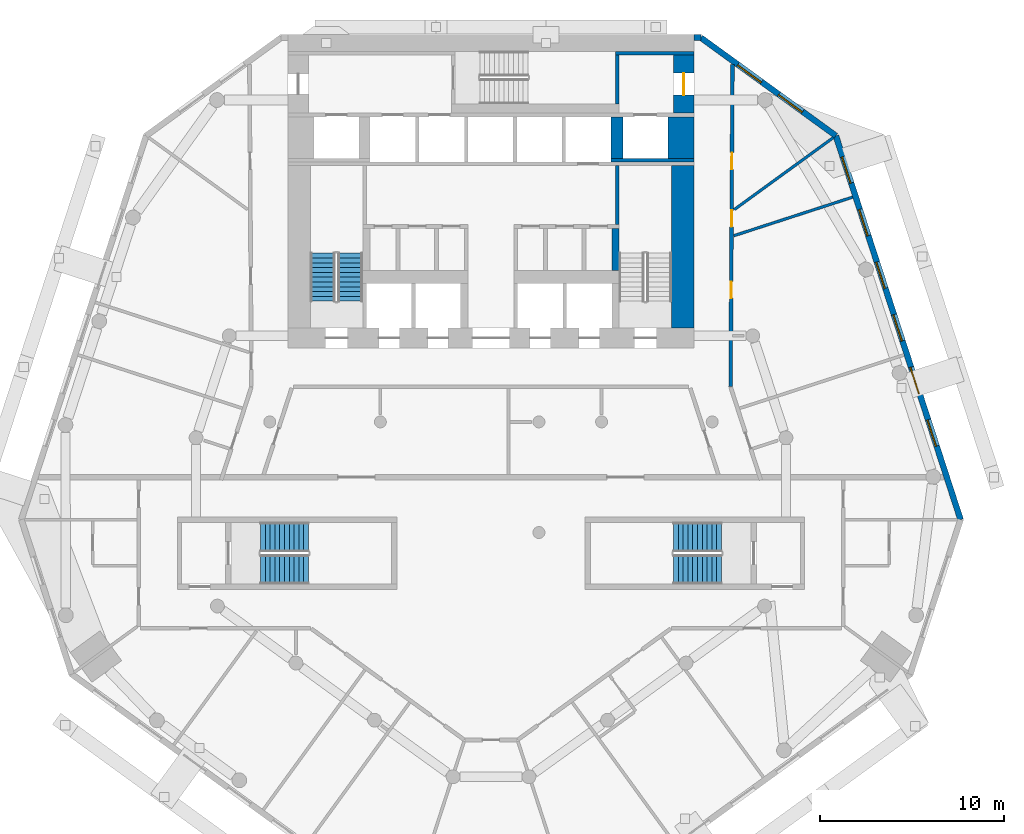
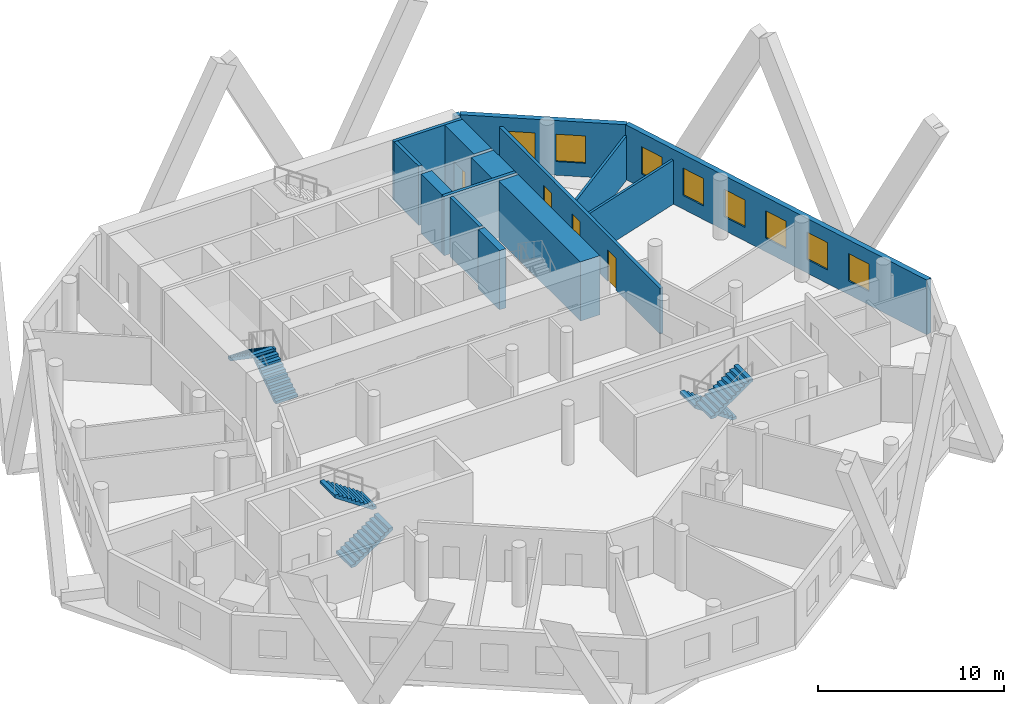
# One storey, part 7 of 10: 15 walls, 8 windows, 6 stair flights, 4 doors, 12 openings, 3 elements without a shape of their own.
"""IFC4 building model written with IfcOpenShell, lengths in metres."""

from ifc_helpers import new_model, si_unit, direction, frame, frame_2d, origin, place, context, subcontext, project, spatial, polyline, rectangle, outline, extrude, material, layer, layer_set, type_object, element, fill, aggregate, save


model = new_model("IFC4")

# Units and contexts
model_context = context("Model", 3, precision=1e-05, world=origin(), true_north=direction((0.0, 1.0)))
body_context = subcontext(model_context, "Body", "Model", "MODEL_VIEW")
ifc_project = project(units=[si_unit("LENGTHUNIT", "METRE"), si_unit("AREAUNIT", "SQUARE_METRE"), si_unit("VOLUMEUNIT", "CUBIC_METRE"), si_unit("PLANEANGLEUNIT", "RADIAN"), si_unit("MASSUNIT", "GRAM", prefix="KILO")], contexts=[model_context])

# Site, building, storey
site_placement = place(None, origin())
site = spatial("IfcSite", under=ifc_project, at=site_placement, CompositionType="ELEMENT")
building_placement = place(site_placement, origin())
building = spatial("IfcBuilding", under=site, at=building_placement, Name="White Candle Pilgrim Tower", CompositionType="ELEMENT")
storey_placement = place(building_placement, frame((0.0, 0.0, 125.89990234375)))
storey = spatial("IfcBuildingStorey", under=building, at=storey_placement, Name="L28", CompositionType="ELEMENT", Elevation=125.89990234375)

# Wall, opening, door
ifc_material_1 = material(Name="Concrete C60/75", Category="concrete")
ifc_layer_1 = layer(ifc_material_1, 1.10009765625)
ifc_layer_set_1 = layer_set([ifc_layer_1], Name="Core wall 1100 mm Concrete C60/75")
wall_type_1 = type_object("IfcWallType", Name="Core wall 1100 mm Concrete C60/75", PredefinedType="SHEAR", material=ifc_layer_set_1)
wall_1_placement = place(storey_placement, frame((80.449951171875, 83.75, 0.0), z_axis=(0.0, 0.0, 1.0), x_axis=(0.0, 1.0, 0.0)))
wall_1 = element("IfcWall", 1, at=wall_1_placement, inside=storey, type_object=wall_type_1, Name="WL-L28-C48", PredefinedType="SHEAR", context=body_context, shape_type="SweptSolid", body=[
    extrude(rectangle(XDim=3.14990234375, YDim=1.10009765625, at=frame_2d((1.574951171875, 0.0))), origin(), (0.0, 0.0, 1.0), 3.900146484375),
])
opening_1_placement = place(wall_1_placement, frame((0.97509765625, 0.0, 0.0)))
opening_1 = element("IfcOpeningElement", 2, at=opening_1_placement, cuts=wall_1, Name="Opening T09-006", PredefinedType="OPENING", context=body_context, shape_type="SweptSolid", body=[
    extrude(rectangle(XDim=1.199951171875, YDim=2.10009765625, at=frame_2d((0.60009765625, 1.050048828125))), frame((0.0, 0.56005859375, 0.0), z_axis=(0.0, -1.0, 0.0), x_axis=(1.0, 0.0, 0.0)), (0.0, 0.0, 1.0), 1.1201171875),
])
ifc_material_2 = material(Name="Steel door leaf", Category="steel")
door_type_1 = type_object("IfcDoorType", Name="Fire door 1200 x 2100 EI 30", OperationType="NOTDEFINED", PredefinedType="DOOR", material=ifc_material_2)
door_1_placement = place(opening_1_placement, origin())
door_1 = element("IfcDoor", 3, at=door_1_placement, inside=storey, type_object=door_type_1, Name="Door T09-006", OperationType="SINGLE_SWING_RIGHT", OverallHeight=2.10009765625, OverallWidth=1.199951171875, PredefinedType="DOOR", context=body_context, shape_type="SweptSolid", body=[
    extrude(rectangle(XDim=1.199951171875, YDim=2.10009765625, at=frame_2d((0.60009765625, 1.050048828125))), frame((0.0, 0.02490234375, 0.0), z_axis=(0.0, -1.0, 0.0), x_axis=(1.0, 0.0, 0.0)), (0.0, 0.0, 1.0), 0.050048828125),
])
fill(opening_1, door_1)

# Walls
ifc_layer_2 = layer(ifc_material_1, 1.39990234375)
ifc_layer_set_2 = layer_set([ifc_layer_2], Name="Core wall 1400 mm Concrete C60/75")
wall_type_2 = type_object("IfcWallType", Name="Core wall 1400 mm Concrete C60/75", PredefinedType="SHEAR", material=ifc_layer_set_2)
wall_2_placement = place(storey_placement, frame((80.300048828125, 81.300048828125, 0.0), z_axis=(0.0, 0.0, 1.0), x_axis=(0.0, 1.0, 0.0)))
element("IfcWall", 4, at=wall_2_placement, inside=storey, type_object=wall_type_2, Name="WL-L28-C44", PredefinedType="SHEAR", context=body_context, shape_type="SweptSolid", body=[
    extrude(rectangle(XDim=2.25, YDim=1.39990234375, at=frame_2d((1.125, 0.0))), origin(), (0.0, 0.0, 1.0), 3.900146484375),
])
ifc_layer_3 = layer(ifc_material_1, 0.199951171875)
ifc_layer_set_3 = layer_set([ifc_layer_3], Name="Core wall 200 mm Concrete C60/75")
wall_type_3 = type_object("IfcWallType", Name="Core wall 200 mm Concrete C60/75", PredefinedType="SHEAR", material=ifc_layer_set_3)
wall_3_placement = place(storey_placement, frame((76.5, 81.199951171875, 0.0), z_axis=(0.0, 0.0, 1.0), x_axis=(1.0, 0.0, 0.0)))
element("IfcWall", 5, at=wall_3_placement, inside=storey, type_object=wall_type_3, Name="WL-L28-C40", PredefinedType="SHEAR", context=body_context, shape_type="SweptSolid", body=[
    extrude(rectangle(XDim=4.5, YDim=0.199951171875, at=frame_2d((2.25, 0.0))), origin(), (0.0, 0.0, 1.0), 3.900146484375),
])

# Wall, openings, doors
ifc_material_3 = material(Name="Gypsum board on steel studs", Category="steel")
ifc_layer_4 = layer(ifc_material_3, 0.199951171875)
ifc_layer_set_4 = layer_set([ifc_layer_4], Name="Corridor wall 200 mm EI 45")
wall_type_4 = type_object("IfcWallType", Name="Corridor wall 200 mm EI 45", PredefinedType="PARTITIONING", material=ifc_layer_set_4)
wall_4_placement = place(storey_placement, frame((83.10009765625, 86.396240234375, 0.0), z_axis=(0.0, 0.0, 1.0), x_axis=(-0.005949698459, -0.999982300387, 0.0)))
wall_4 = element("IfcWall", 6, at=wall_4_placement, inside=storey, type_object=wall_type_4, Name="WL-L28-P004", PredefinedType="PARTITIONING", context=body_context, shape_type="SweptSolid", body=[
    extrude(rectangle(XDim=17.48046875, YDim=0.199951171875, at=frame_2d((8.740234375, 0.0))), origin(), (0.0, 0.0, 1.0), 3.0),
])
opening_2_placement = place(wall_4_placement, frame((4.794189453125, 0.0, 0.0)))
opening_2 = element("IfcOpeningElement", 7, at=opening_2_placement, cuts=wall_4, Name="Opening T09-121", PredefinedType="OPENING", context=body_context, shape_type="SweptSolid", body=[
    extrude(rectangle(XDim=0.89990234375, YDim=2.10009765625, at=frame_2d((0.449951171875, 1.050048828125))), frame((0.0, 0.10986328125, 0.0), z_axis=(0.0, -1.0, 0.0), x_axis=(1.0, 0.0, 0.0)), (0.0, 0.0, 1.0), 0.219970703125),
])
opening_3_placement = place(wall_4_placement, frame((7.916748046875, 0.0, 0.0)))
opening_3 = element("IfcOpeningElement", 8, at=opening_3_placement, cuts=wall_4, Name="Opening T09-122", PredefinedType="OPENING", context=body_context, shape_type="SweptSolid", body=[
    extrude(rectangle(XDim=0.89990234375, YDim=2.10009765625, at=frame_2d((0.449951171875, 1.050048828125))), frame((0.0, 0.10986328125, 0.0), z_axis=(0.0, -1.0, 0.0), x_axis=(1.0, 0.0, 0.0)), (0.0, 0.0, 1.0), 0.219970703125),
])
opening_4_placement = place(wall_4_placement, frame((11.786376953125, 0.0, 0.0)))
opening_4 = element("IfcOpeningElement", 9, at=opening_4_placement, cuts=wall_4, Name="Opening T09-123", PredefinedType="OPENING", context=body_context, shape_type="SweptSolid", body=[
    extrude(rectangle(XDim=0.89990234375, YDim=2.10009765625, at=frame_2d((0.449951171875, 1.050048828125))), frame((0.0, 0.10986328125, 0.0), z_axis=(0.0, -1.0, 0.0), x_axis=(1.0, 0.0, 0.0)), (0.0, 0.0, 1.0), 0.219970703125),
])
door_type_2 = type_object("IfcDoorType", Name="Fire door 900 x 2100 EI 30", OperationType="NOTDEFINED", PredefinedType="DOOR", material=ifc_material_2)
door_2_placement = place(opening_2_placement, origin())
door_2 = element("IfcDoor", 10, at=door_2_placement, inside=storey, type_object=door_type_2, Name="Door T09-121", OperationType="SINGLE_SWING_LEFT", OverallHeight=2.10009765625, OverallWidth=0.89990234375, PredefinedType="DOOR", context=body_context, shape_type="SweptSolid", body=[
    extrude(rectangle(XDim=0.89990234375, YDim=2.10009765625, at=frame_2d((0.449951171875, 1.050048828125))), frame((0.0, 0.02490234375, 0.0), z_axis=(0.0, -1.0, 0.0), x_axis=(1.0, 0.0, 0.0)), (0.0, 0.0, 1.0), 0.050048828125),
])
fill(opening_2, door_2)
door_3_placement = place(opening_3_placement, origin())
door_3 = element("IfcDoor", 11, at=door_3_placement, inside=storey, type_object=door_type_2, Name="Door T09-122", OperationType="SINGLE_SWING_RIGHT", OverallHeight=2.10009765625, OverallWidth=0.89990234375, PredefinedType="DOOR", context=body_context, shape_type="SweptSolid", body=[
    extrude(rectangle(XDim=0.89990234375, YDim=2.10009765625, at=frame_2d((0.449951171875, 1.050048828125))), frame((0.0, 0.02490234375, 0.0), z_axis=(0.0, -1.0, 0.0), x_axis=(1.0, 0.0, 0.0)), (0.0, 0.0, 1.0), 0.050048828125),
])
fill(opening_3, door_3)
door_4_placement = place(opening_4_placement, origin())
door_4 = element("IfcDoor", 12, at=door_4_placement, inside=storey, type_object=door_type_2, Name="Door T09-123", OperationType="SINGLE_SWING_LEFT", OverallHeight=2.10009765625, OverallWidth=0.89990234375, PredefinedType="DOOR", context=body_context, shape_type="SweptSolid", body=[
    extrude(rectangle(XDim=0.89990234375, YDim=2.10009765625, at=frame_2d((0.449951171875, 1.050048828125))), frame((0.0, 0.02490234375, 0.0), z_axis=(0.0, -1.0, 0.0), x_axis=(1.0, 0.0, 0.0)), (0.0, 0.0, 1.0), 0.050048828125),
])
fill(opening_4, door_4)

# Wall, openings, windows
ifc_material_4 = material(Name="Precast concrete C40/50", Category="concrete")
ifc_layer_5 = layer(ifc_material_4, 0.320068359375)
ifc_layer_set_5 = layer_set([ifc_layer_5], Name="Facade wall EW1 precast concrete C40/50 pier wall with timber-lined reveals")
wall_type_5 = type_object("IfcWallType", Name="Facade wall EW1 precast concrete C40/50 pier wall with timber-lined reveals", PredefinedType="SOLIDWALL", material=ifc_layer_set_5)
wall_5_placement = place(storey_placement, frame((95.4716796875, 61.69921875, 0.0), z_axis=(0.0, 0.0, 1.0), x_axis=(-0.309009164157, 0.951059060452, 0.0)))
wall_5 = element("IfcWall", 13, at=wall_5_placement, inside=storey, type_object=wall_type_5, Name="Facade wall L28 ENE", PredefinedType="SOLIDWALL", context=body_context, shape_type="SweptSolid", body=[
    extrude(rectangle(XDim=21.89306640625, YDim=0.320068359375, at=frame_2d((10.946533203125, 0.0))), origin(), (0.0, 0.0, 1.0), 3.60009765625),
])
opening_5_placement = place(wall_5_placement, frame((4.196533203125, 0.0, 0.89990234375)))
opening_5 = element("IfcOpeningElement", 14, at=opening_5_placement, cuts=wall_5, Name="Opening W1", PredefinedType="OPENING", context=body_context, shape_type="SweptSolid", body=[
    extrude(rectangle(XDim=1.5, YDim=1.800048828125, at=frame_2d((0.75, 0.89990234375))), frame((0.0, 0.169921875, 0.0), z_axis=(0.0, -1.0, 0.0), x_axis=(1.0, 0.0, 0.0)), (0.0, 0.0, 1.0), 0.340087890625),
])
opening_6_placement = place(wall_5_placement, frame((7.196533203125, 0.0, 0.89990234375)))
opening_6 = element("IfcOpeningElement", 15, at=opening_6_placement, cuts=wall_5, Name="Opening W1", PredefinedType="OPENING", context=body_context, shape_type="SweptSolid", body=[
    extrude(rectangle(XDim=1.5, YDim=1.800048828125, at=frame_2d((0.75, 0.89990234375))), frame((0.0, 0.169921875, 0.0), z_axis=(0.0, -1.0, 0.0), x_axis=(1.0, 0.0, 0.0)), (0.0, 0.0, 1.0), 0.340087890625),
])
opening_7_placement = place(wall_5_placement, frame((10.196533203125, 0.0, 0.89990234375)))
opening_7 = element("IfcOpeningElement", 16, at=opening_7_placement, cuts=wall_5, Name="Opening W1", PredefinedType="OPENING", context=body_context, shape_type="SweptSolid", body=[
    extrude(rectangle(XDim=1.5, YDim=1.800048828125, at=frame_2d((0.75, 0.89990234375))), frame((0.0, 0.169921875, 0.0), z_axis=(0.0, -1.0, 0.0), x_axis=(1.0, 0.0, 0.0)), (0.0, 0.0, 1.0), 0.340087890625),
])
opening_8_placement = place(wall_5_placement, frame((13.196533203125, 0.0, 0.89990234375)))
opening_8 = element("IfcOpeningElement", 17, at=opening_8_placement, cuts=wall_5, Name="Opening W1", PredefinedType="OPENING", context=body_context, shape_type="SweptSolid", body=[
    extrude(rectangle(XDim=1.5, YDim=1.800048828125, at=frame_2d((0.75, 0.89990234375))), frame((0.0, 0.169921875, 0.0), z_axis=(0.0, -1.0, 0.0), x_axis=(1.0, 0.0, 0.0)), (0.0, 0.0, 1.0), 0.340087890625),
])
opening_9_placement = place(wall_5_placement, frame((16.196533203125, 0.0, 0.89990234375)))
opening_9 = element("IfcOpeningElement", 18, at=opening_9_placement, cuts=wall_5, Name="Opening W1", PredefinedType="OPENING", context=body_context, shape_type="SweptSolid", body=[
    extrude(rectangle(XDim=1.5, YDim=1.800048828125, at=frame_2d((0.75, 0.89990234375))), frame((0.0, 0.169921875, 0.0), z_axis=(0.0, -1.0, 0.0), x_axis=(1.0, 0.0, 0.0)), (0.0, 0.0, 1.0), 0.340087890625),
])
opening_10_placement = place(wall_5_placement, frame((19.196533203125, 0.0, 0.89990234375)))
opening_10 = element("IfcOpeningElement", 19, at=opening_10_placement, cuts=wall_5, Name="Opening W1", PredefinedType="OPENING", context=body_context, shape_type="SweptSolid", body=[
    extrude(rectangle(XDim=1.5, YDim=1.800048828125, at=frame_2d((0.75, 0.89990234375))), frame((0.0, 0.169921875, 0.0), z_axis=(0.0, -1.0, 0.0), x_axis=(1.0, 0.0, 0.0)), (0.0, 0.0, 1.0), 0.340087890625),
])
ifc_material_5 = material(Name="Timber frame with triple glazing", Category="wood")
window_type_1 = type_object("IfcWindowType", Name="Window W1 1500x1800 timber frame triple glazing", PartitioningType="SINGLE_PANEL", PredefinedType="WINDOW", material=ifc_material_5)
window_1_placement = place(opening_5_placement, origin())
window_1 = element("IfcWindow", 20, at=window_1_placement, inside=storey, type_object=window_type_1, Name="Window W1 L28 ENE 2", OverallHeight=1.800048828125, OverallWidth=1.5, PartitioningType="SINGLE_PANEL", PredefinedType="WINDOW", context=body_context, shape_type="SweptSolid", body=[
    extrude(rectangle(XDim=1.5, YDim=1.800048828125, at=frame_2d((0.75, 0.89990234375))), frame((0.0, 0.070068359375, 0.0), z_axis=(0.0, -1.0, 0.0), x_axis=(1.0, 0.0, 0.0)), (0.0, 0.0, 1.0), 0.06005859375),
])
fill(opening_5, window_1)
window_2_placement = place(opening_6_placement, origin())
window_2 = element("IfcWindow", 21, at=window_2_placement, inside=storey, type_object=window_type_1, Name="Window W1 L28 ENE 3", OverallHeight=1.800048828125, OverallWidth=1.5, PartitioningType="SINGLE_PANEL", PredefinedType="WINDOW", context=body_context, shape_type="SweptSolid", body=[
    extrude(rectangle(XDim=1.5, YDim=1.800048828125, at=frame_2d((0.75, 0.89990234375))), frame((0.0, 0.070068359375, 0.0), z_axis=(0.0, -1.0, 0.0), x_axis=(1.0, 0.0, 0.0)), (0.0, 0.0, 1.0), 0.06005859375),
])
fill(opening_6, window_2)
window_3_placement = place(opening_7_placement, origin())
window_3 = element("IfcWindow", 22, at=window_3_placement, inside=storey, type_object=window_type_1, Name="Window W1 L28 ENE 4", OverallHeight=1.800048828125, OverallWidth=1.5, PartitioningType="SINGLE_PANEL", PredefinedType="WINDOW", context=body_context, shape_type="SweptSolid", body=[
    extrude(rectangle(XDim=1.5, YDim=1.800048828125, at=frame_2d((0.75, 0.89990234375))), frame((0.0, 0.070068359375, 0.0), z_axis=(0.0, -1.0, 0.0), x_axis=(1.0, 0.0, 0.0)), (0.0, 0.0, 1.0), 0.06005859375),
])
fill(opening_7, window_3)
window_4_placement = place(opening_8_placement, origin())
window_4 = element("IfcWindow", 23, at=window_4_placement, inside=storey, type_object=window_type_1, Name="Window W1 L28 ENE 5", OverallHeight=1.800048828125, OverallWidth=1.5, PartitioningType="SINGLE_PANEL", PredefinedType="WINDOW", context=body_context, shape_type="SweptSolid", body=[
    extrude(rectangle(XDim=1.5, YDim=1.800048828125, at=frame_2d((0.75, 0.89990234375))), frame((0.0, 0.070068359375, 0.0), z_axis=(0.0, -1.0, 0.0), x_axis=(1.0, 0.0, 0.0)), (0.0, 0.0, 1.0), 0.06005859375),
])
fill(opening_8, window_4)
window_5_placement = place(opening_9_placement, origin())
window_5 = element("IfcWindow", 24, at=window_5_placement, inside=storey, type_object=window_type_1, Name="Window W1 L28 ENE 6", OverallHeight=1.800048828125, OverallWidth=1.5, PartitioningType="SINGLE_PANEL", PredefinedType="WINDOW", context=body_context, shape_type="SweptSolid", body=[
    extrude(rectangle(XDim=1.5, YDim=1.800048828125, at=frame_2d((0.75, 0.89990234375))), frame((0.0, 0.070068359375, 0.0), z_axis=(0.0, -1.0, 0.0), x_axis=(1.0, 0.0, 0.0)), (0.0, 0.0, 1.0), 0.06005859375),
])
fill(opening_9, window_5)
window_6_placement = place(opening_10_placement, origin())
window_6 = element("IfcWindow", 25, at=window_6_placement, inside=storey, type_object=window_type_1, Name="Window W1 L28 ENE 7", OverallHeight=1.800048828125, OverallWidth=1.5, PartitioningType="SINGLE_PANEL", PredefinedType="WINDOW", context=body_context, shape_type="SweptSolid", body=[
    extrude(rectangle(XDim=1.5, YDim=1.800048828125, at=frame_2d((0.75, 0.89990234375))), frame((0.0, 0.070068359375, 0.0), z_axis=(0.0, -1.0, 0.0), x_axis=(1.0, 0.0, 0.0)), (0.0, 0.0, 1.0), 0.06005859375),
])
fill(opening_10, window_6)

wall_6_placement = place(storey_placement, frame((88.70654296875, 82.520751953125, 0.0), z_axis=(0.0, 0.0, 1.0), x_axis=(-0.809020636, 0.587780239993, 0.0)))
wall_6 = element("IfcWall", 26, at=wall_6_placement, inside=storey, type_object=wall_type_5, Name="Facade wall L28 NE chamfer", PredefinedType="SOLIDWALL", context=body_context, shape_type="SweptSolid", body=[
    extrude(rectangle(XDim=9.0498046875, YDim=0.320068359375, at=frame_2d((4.52490234375, 0.0))), origin(), (0.0, 0.0, 1.0), 3.60009765625),
])
opening_11_placement = place(wall_6_placement, frame((2.224853515625, 0.0, 0.89990234375)))
opening_11 = element("IfcOpeningElement", 27, at=opening_11_placement, cuts=wall_6, Name="Opening W2", PredefinedType="OPENING", context=body_context, shape_type="SweptSolid", body=[
    extrude(rectangle(XDim=1.60009765625, YDim=1.800048828125, at=frame_2d((0.800048828125, 0.89990234375))), frame((0.0, 0.169921875, 0.0), z_axis=(0.0, -1.0, 0.0), x_axis=(1.0, 0.0, 0.0)), (0.0, 0.0, 1.0), 0.340087890625),
])
opening_12_placement = place(wall_6_placement, frame((4.974853515625, 0.0, 0.89990234375)))
opening_12 = element("IfcOpeningElement", 28, at=opening_12_placement, cuts=wall_6, Name="Opening W2", PredefinedType="OPENING", context=body_context, shape_type="SweptSolid", body=[
    extrude(rectangle(XDim=1.60009765625, YDim=1.800048828125, at=frame_2d((0.800048828125, 0.89990234375))), frame((0.0, 0.169921875, 0.0), z_axis=(0.0, -1.0, 0.0), x_axis=(1.0, 0.0, 0.0)), (0.0, 0.0, 1.0), 0.340087890625),
])
window_type_2 = type_object("IfcWindowType", Name="Window W2 1600x1800 timber frame triple glazing", PartitioningType="SINGLE_PANEL", PredefinedType="WINDOW", material=ifc_material_5)
window_7_placement = place(opening_11_placement, origin())
window_7 = element("IfcWindow", 29, at=window_7_placement, inside=storey, type_object=window_type_2, Name="Window W2 L28 NE chamfer 1", OverallHeight=1.800048828125, OverallWidth=1.60009765625, PartitioningType="SINGLE_PANEL", PredefinedType="WINDOW", context=body_context, shape_type="SweptSolid", body=[
    extrude(rectangle(XDim=1.60009765625, YDim=1.800048828125, at=frame_2d((0.800048828125, 0.89990234375))), frame((0.0, 0.070068359375, 0.0), z_axis=(0.0, -1.0, 0.0), x_axis=(1.0, 0.0, 0.0)), (0.0, 0.0, 1.0), 0.06005859375),
])
fill(opening_11, window_7)
window_8_placement = place(opening_12_placement, origin())
window_8 = element("IfcWindow", 30, at=window_8_placement, inside=storey, type_object=window_type_2, Name="Window W2 L28 NE chamfer 2", OverallHeight=1.800048828125, OverallWidth=1.60009765625, PartitioningType="SINGLE_PANEL", PredefinedType="WINDOW", context=body_context, shape_type="SweptSolid", body=[
    extrude(rectangle(XDim=1.60009765625, YDim=1.800048828125, at=frame_2d((0.800048828125, 0.89990234375))), frame((0.0, 0.070068359375, 0.0), z_axis=(0.0, -1.0, 0.0), x_axis=(1.0, 0.0, 0.0)), (0.0, 0.0, 1.0), 0.06005859375),
])
fill(opening_12, window_8)

# Walls
wall_7_placement = place(storey_placement, frame((81.385009765625, 87.840087890625, 0.0), z_axis=(0.0, 0.0, 1.0), x_axis=(-1.0, 0.0, 0.0)))
element("IfcWall", 31, at=wall_7_placement, inside=storey, type_object=wall_type_5, Name="Facade wall L28 N", PredefinedType="SOLIDWALL", context=body_context, shape_type="SweptSolid", body=[
    extrude(rectangle(XDim=0.385009765625, YDim=0.320068359375, at=frame_2d((0.1923828125, 0.0))), origin(), (0.0, 0.0, 1.0), 3.60009765625),
])
ifc_layer_6 = layer(ifc_material_3, 0.14990234375)
ifc_layer_set_6 = layer_set([ifc_layer_6], Name="Partition 150 mm EI 60")
wall_type_6 = type_object("IfcWallType", Name="Partition 150 mm EI 60", PredefinedType="PARTITIONING", material=ifc_layer_set_6)
wall_8_placement = place(storey_placement, frame((88.5703125, 82.421875, 0.0), z_axis=(0.0, 0.0, 1.0), x_axis=(-0.809017368716, -0.587784737056, 0.0)))
element("IfcWall", 32, at=wall_8_placement, inside=storey, type_object=wall_type_6, Name="WL-L28-P023", PredefinedType="PARTITIONING", context=body_context, shape_type="SweptSolid", body=[
    extrude(rectangle(XDim=6.64111328125, YDim=0.14990234375, at=frame_2d((3.320556640625, 0.0))), origin(), (0.0, 0.0, 1.0), 2.900146484375),
])
wall_9_placement = place(storey_placement, frame((89.619384765625, 79.193359375, 0.0), z_axis=(0.0, 0.0, 1.0), x_axis=(-0.951063688423, -0.308994919963, 0.0)))
element("IfcWall", 33, at=wall_9_placement, inside=storey, type_object=wall_type_6, Name="WL-L28-P038", PredefinedType="PARTITIONING", context=body_context, shape_type="SweptSolid", body=[
    extrude(rectangle(XDim=6.783203125, YDim=0.14990234375, at=frame_2d((3.3916015625, 0.0))), origin(), (0.0, 0.0, 1.0), 2.900146484375),
])
ifc_layer_7 = layer(ifc_material_1, 0.64990234375)
ifc_layer_set_7 = layer_set([ifc_layer_7], Name="Shaft wall 650 mm Concrete C60/75")
wall_type_7 = type_object("IfcWallType", Name="Shaft wall 650 mm Concrete C60/75", PredefinedType="SHEAR", material=ifc_layer_set_7)
wall_10_placement = place(storey_placement, frame((76.824951171875, 81.300048828125, 0.0), z_axis=(0.0, 0.0, 1.0), x_axis=(0.0, 1.0, 0.0)))
element("IfcWall", 34, at=wall_10_placement, inside=storey, type_object=wall_type_7, Name="WL-L28-C43", PredefinedType="SHEAR", context=body_context, shape_type="SweptSolid", body=[
    extrude(rectangle(XDim=2.25, YDim=0.64990234375, at=frame_2d((1.125, 0.0))), origin(), (0.0, 0.0, 1.0), 3.900146484375),
])
ifc_layer_8 = layer(ifc_material_1, 1.199951171875)
ifc_layer_set_8 = layer_set([ifc_layer_8], Name="Stair shaft wall 1200 mm Concrete C60/75")
wall_type_8 = type_object("IfcWallType", Name="Stair shaft wall 1200 mm Concrete C60/75", PredefinedType="SHEAR", material=ifc_layer_set_8)
wall_11_placement = place(storey_placement, frame((80.39990234375, 72.10009765625, 0.0), z_axis=(0.0, 0.0, 1.0), x_axis=(0.0, 1.0, 0.0)))
element("IfcWall", 35, at=wall_11_placement, inside=storey, type_object=wall_type_8, Name="WL-L28-C19", PredefinedType="SHEAR", context=body_context, shape_type="SweptSolid", body=[
    extrude(rectangle(XDim=8.7998046875, YDim=1.199951171875, at=frame_2d((4.39990234375, 0.0))), origin(), (0.0, 0.0, 1.0), 3.900146484375),
])
ifc_layer_9 = layer(ifc_material_1, 0.199951171875)
ifc_layer_set_9 = layer_set([ifc_layer_9], Name="Stair shaft wall 200 mm Concrete C60/75")
wall_type_9 = type_object("IfcWallType", Name="Stair shaft wall 200 mm Concrete C60/75", PredefinedType="SHEAR", material=ifc_layer_set_9)
wall_12_placement = place(storey_placement, frame((76.85009765625, 77.699951171875, 0.0), z_axis=(0.0, 0.0, 1.0), x_axis=(0.0, 1.0, 0.0)))
element("IfcWall", 36, at=wall_12_placement, inside=storey, type_object=wall_type_9, Name="WL-L28-C33", PredefinedType="SHEAR", context=body_context, shape_type="SweptSolid", body=[
    extrude(rectangle(XDim=3.199951171875, YDim=0.199951171875, at=frame_2d((1.60009765625, 0.0))), origin(), (0.0, 0.0, 1.0), 3.900146484375),
])
wall_13_placement = place(storey_placement, frame((76.85009765625, 84.25, 0.0), z_axis=(0.0, 0.0, 1.0), x_axis=(0.0, 1.0, 0.0)))
element("IfcWall", 37, at=wall_13_placement, inside=storey, type_object=wall_type_9, Name="WL-L28-C50", PredefinedType="SHEAR", context=body_context, shape_type="SweptSolid", body=[
    extrude(rectangle(XDim=2.64990234375, YDim=0.199951171875, at=frame_2d((1.324951171875, 0.0))), origin(), (0.0, 0.0, 1.0), 3.900146484375),
])
wall_14_placement = place(storey_placement, frame((76.75, 87.0, 0.0), z_axis=(0.0, 0.0, 1.0), x_axis=(1.0, 0.0, 0.0)))
element("IfcWall", 38, at=wall_14_placement, inside=storey, type_object=wall_type_9, Name="WL-L28-C52", PredefinedType="SHEAR", context=body_context, shape_type="SweptSolid", body=[
    extrude(rectangle(XDim=4.25, YDim=0.199951171875, at=frame_2d((2.125, 0.0))), origin(), (0.0, 0.0, 1.0), 3.900146484375),
])
ifc_layer_10 = layer(ifc_material_1, 0.39990234375)
ifc_layer_set_10 = layer_set([ifc_layer_10], Name="Stair shaft wall 400 mm Concrete C60/75")
wall_type_10 = type_object("IfcWallType", Name="Stair shaft wall 400 mm Concrete C60/75", PredefinedType="SHEAR", material=ifc_layer_set_10)
wall_15_placement = place(storey_placement, frame((76.75, 75.199951171875, 0.0), z_axis=(0.0, 0.0, 1.0), x_axis=(0.0, 1.0, 0.0)))
element("IfcWall", 39, at=wall_15_placement, inside=storey, type_object=wall_type_10, Name="WL-L28-C29", PredefinedType="SHEAR", context=body_context, shape_type="SweptSolid", body=[
    extrude(rectangle(XDim=2.300048828125, YDim=0.39990234375, at=frame_2d((1.14990234375, 0.0))), origin(), (0.0, 0.0, 1.0), 3.900146484375),
])

# Stair, stair flights
ifc_material_6 = material(Name="Concrete C40/50", Category="concrete")
stair_type_1 = type_object("IfcStairType", Name="Exit stair 1 flight width 1350 mm", PredefinedType="HALF_TURN_STAIR", material=ifc_material_6)
stair_1_placement = place(storey_placement, origin())
stair_1 = element("IfcStair", 40, at=stair_1_placement, inside=storey, type_object=stair_type_1, Name="L28 stair 1", PredefinedType="NOTDEFINED")
ifc_layer_11 = layer(ifc_material_6, 0.14990234375)
ifc_layer_set_11 = layer_set([ifc_layer_11], Name="Stair flight Concrete C40/50")
stair_flight_type = type_object("IfcStairFlightType", Name="Stair flight Concrete C40/50", PredefinedType="STRAIGHT", material=ifc_layer_set_11)
stair_flight_1_placement = place(storey_placement, frame((62.375, 73.550048828125, 0.0), z_axis=(0.0, 0.0, 1.0), x_axis=(0.0, 1.0, 0.0)))
stair_flight_1 = element("IfcStairFlight", 41, at=stair_flight_1_placement, type_object=stair_flight_type, Name="ST1 flight 1", NumberOfRisers=11, NumberOfTreads=10, PredefinedType="NOTDEFINED", RiserHeight=0.177272727, TreadLength=0.26, context=body_context, shape_type="SweptSolid", body=[
    extrude(outline(polyline([(0.0, 0.0), (0.0, 0.17724609375), (0.260009765625, 0.17724609375), (0.260009765625, 0.3544921875), (0.52001953125, 0.3544921875), (0.52001953125, 0.53173828125), (0.780029296875, 0.53173828125), (0.780029296875, 0.708984375), (1.0400390625, 0.708984375), (1.0400390625, 0.886474609375), (1.300048828125, 0.886474609375), (1.300048828125, 1.063720703125), (1.56005859375, 1.063720703125), (1.56005859375, 1.240966796875), (1.820068359375, 1.240966796875), (1.820068359375, 1.418212890625), (2.080078125, 1.418212890625), (2.080078125, 1.595458984375), (2.340087890625, 1.595458984375), (2.340087890625, 1.772705078125), (2.60009765625, 1.772705078125), (2.60009765625, 1.949951171875), (2.60009765625, 1.59130859375), (0.26611328125, 0.0), (0.0, 0.0)])), frame((0.0, 0.675048828125, 0.0), z_axis=(0.0, -1.0, 0.0), x_axis=(1.0, 0.0, 0.0)), (0.0, 0.0, 1.0), 1.35009765625),
])
stair_flight_2_placement = place(storey_placement, frame((60.875, 76.14990234375, 1.9501953125), z_axis=(0.0, 0.0, 1.0), x_axis=(0.0, -1.0, 0.0)))
stair_flight_2 = element("IfcStairFlight", 42, at=stair_flight_2_placement, type_object=stair_flight_type, Name="ST1 flight 2", NumberOfRisers=11, NumberOfTreads=10, PredefinedType="NOTDEFINED", RiserHeight=0.177272727, TreadLength=0.26, context=body_context, shape_type="SweptSolid", body=[
    extrude(outline(polyline([(0.0, 0.0), (0.0, 0.17724609375), (0.260009765625, 0.17724609375), (0.260009765625, 0.3544921875), (0.52001953125, 0.3544921875), (0.52001953125, 0.53173828125), (0.780029296875, 0.53173828125), (0.780029296875, 0.708984375), (1.0400390625, 0.708984375), (1.0400390625, 0.886474609375), (1.300048828125, 0.886474609375), (1.300048828125, 1.063720703125), (1.56005859375, 1.063720703125), (1.56005859375, 1.240966796875), (1.820068359375, 1.240966796875), (1.820068359375, 1.418212890625), (2.080078125, 1.418212890625), (2.080078125, 1.595458984375), (2.340087890625, 1.595458984375), (2.340087890625, 1.772705078125), (2.60009765625, 1.772705078125), (2.60009765625, 1.949951171875), (2.60009765625, 1.59130859375), (0.26611328125, 0.0), (0.0, 0.0)])), frame((0.0, 0.675048828125, 0.0), z_axis=(0.0, -1.0, 0.0), x_axis=(1.0, 0.0, 0.0)), (0.0, 0.0, 1.0), 1.35009765625),
])
aggregate(stair_1, [stair_flight_1, stair_flight_2])

stair_type_2 = type_object("IfcStairType", Name="Exit stair 4 flight width 1600 mm", PredefinedType="HALF_TURN_STAIR", material=ifc_material_6)
stair_2_placement = place(storey_placement, origin())
stair_2 = element("IfcStair", 43, at=stair_2_placement, inside=storey, type_object=stair_type_2, Name="L28 stair 4", PredefinedType="NOTDEFINED")
stair_flight_3_placement = place(storey_placement, frame((82.5, 60.75, 0.0), z_axis=(0.0, 0.0, 1.0), x_axis=(-1.0, 0.0, 0.0)))
stair_flight_3 = element("IfcStairFlight", 44, at=stair_flight_3_placement, type_object=stair_flight_type, Name="ST4 flight 1", NumberOfRisers=11, NumberOfTreads=10, PredefinedType="NOTDEFINED", RiserHeight=0.177272727, TreadLength=0.26, context=body_context, shape_type="SweptSolid", body=[
    extrude(outline(polyline([(0.0, 0.0), (0.0, 0.17724609375), (0.260009765625, 0.17724609375), (0.260009765625, 0.3544921875), (0.52001953125, 0.3544921875), (0.52001953125, 0.53173828125), (0.780029296875, 0.53173828125), (0.780029296875, 0.708984375), (1.0400390625, 0.708984375), (1.0400390625, 0.886474609375), (1.300048828125, 0.886474609375), (1.300048828125, 1.063720703125), (1.56005859375, 1.063720703125), (1.56005859375, 1.240966796875), (1.820068359375, 1.240966796875), (1.820068359375, 1.418212890625), (2.080078125, 1.418212890625), (2.080078125, 1.595458984375), (2.340087890625, 1.595458984375), (2.340087890625, 1.772705078125), (2.60009765625, 1.772705078125), (2.60009765625, 1.949951171875), (2.60009765625, 1.59130859375), (0.26611328125, 0.0), (0.0, 0.0)])), frame((0.0, 0.800048828125, 0.0), z_axis=(0.0, -1.0, 0.0), x_axis=(1.0, 0.0, 0.0)), (0.0, 0.0, 1.0), 1.60009765625),
])
stair_flight_4_placement = place(storey_placement, frame((79.89990234375, 59.0, 1.9501953125), z_axis=(0.0, 0.0, 1.0), x_axis=(1.0, 0.0, 0.0)))
stair_flight_4 = element("IfcStairFlight", 45, at=stair_flight_4_placement, type_object=stair_flight_type, Name="ST4 flight 2", NumberOfRisers=11, NumberOfTreads=10, PredefinedType="NOTDEFINED", RiserHeight=0.177272727, TreadLength=0.26, context=body_context, shape_type="SweptSolid", body=[
    extrude(outline(polyline([(0.0, 0.0), (0.0, 0.17724609375), (0.260009765625, 0.17724609375), (0.260009765625, 0.3544921875), (0.52001953125, 0.3544921875), (0.52001953125, 0.53173828125), (0.780029296875, 0.53173828125), (0.780029296875, 0.708984375), (1.0400390625, 0.708984375), (1.0400390625, 0.886474609375), (1.300048828125, 0.886474609375), (1.300048828125, 1.063720703125), (1.56005859375, 1.063720703125), (1.56005859375, 1.240966796875), (1.820068359375, 1.240966796875), (1.820068359375, 1.418212890625), (2.080078125, 1.418212890625), (2.080078125, 1.595458984375), (2.340087890625, 1.595458984375), (2.340087890625, 1.772705078125), (2.60009765625, 1.772705078125), (2.60009765625, 1.949951171875), (2.60009765625, 1.59130859375), (0.26611328125, 0.0), (0.0, 0.0)])), frame((0.0, 0.800048828125, 0.0), z_axis=(0.0, -1.0, 0.0), x_axis=(1.0, 0.0, 0.0)), (0.0, 0.0, 1.0), 1.60009765625),
])
aggregate(stair_2, [stair_flight_3, stair_flight_4])

stair_type_3 = type_object("IfcStairType", Name="Exit stair 5 flight width 1600 mm", PredefinedType="HALF_TURN_STAIR", material=ifc_material_6)
stair_3_placement = place(storey_placement, origin())
stair_3 = element("IfcStair", 46, at=stair_3_placement, inside=storey, type_object=stair_type_3, Name="L28 stair 5", PredefinedType="NOTDEFINED")
stair_flight_5_placement = place(storey_placement, frame((57.5, 59.0, 0.0), z_axis=(0.0, 0.0, 1.0), x_axis=(1.0, 0.0, 0.0)))
stair_flight_5 = element("IfcStairFlight", 47, at=stair_flight_5_placement, type_object=stair_flight_type, Name="ST5 flight 1", NumberOfRisers=11, NumberOfTreads=10, PredefinedType="NOTDEFINED", RiserHeight=0.177272727, TreadLength=0.26, context=body_context, shape_type="SweptSolid", body=[
    extrude(outline(polyline([(0.0, 0.0), (0.0, 0.17724609375), (0.260009765625, 0.17724609375), (0.260009765625, 0.3544921875), (0.52001953125, 0.3544921875), (0.52001953125, 0.53173828125), (0.780029296875, 0.53173828125), (0.780029296875, 0.708984375), (1.0400390625, 0.708984375), (1.0400390625, 0.886474609375), (1.300048828125, 0.886474609375), (1.300048828125, 1.063720703125), (1.56005859375, 1.063720703125), (1.56005859375, 1.240966796875), (1.820068359375, 1.240966796875), (1.820068359375, 1.418212890625), (2.080078125, 1.418212890625), (2.080078125, 1.595458984375), (2.340087890625, 1.595458984375), (2.340087890625, 1.772705078125), (2.60009765625, 1.772705078125), (2.60009765625, 1.949951171875), (2.60009765625, 1.59130859375), (0.26611328125, 0.0), (0.0, 0.0)])), frame((0.0, 0.800048828125, 0.0), z_axis=(0.0, -1.0, 0.0), x_axis=(1.0, 0.0, 0.0)), (0.0, 0.0, 1.0), 1.60009765625),
])
stair_flight_6_placement = place(storey_placement, frame((60.10009765625, 60.75, 1.9501953125), z_axis=(0.0, 0.0, 1.0), x_axis=(-1.0, 0.0, 0.0)))
stair_flight_6 = element("IfcStairFlight", 48, at=stair_flight_6_placement, type_object=stair_flight_type, Name="ST5 flight 2", NumberOfRisers=11, NumberOfTreads=10, PredefinedType="NOTDEFINED", RiserHeight=0.177272727, TreadLength=0.26, context=body_context, shape_type="SweptSolid", body=[
    extrude(outline(polyline([(0.0, 0.0), (0.0, 0.17724609375), (0.260009765625, 0.17724609375), (0.260009765625, 0.3544921875), (0.52001953125, 0.3544921875), (0.52001953125, 0.53173828125), (0.780029296875, 0.53173828125), (0.780029296875, 0.708984375), (1.0400390625, 0.708984375), (1.0400390625, 0.886474609375), (1.300048828125, 0.886474609375), (1.300048828125, 1.063720703125), (1.56005859375, 1.063720703125), (1.56005859375, 1.240966796875), (1.820068359375, 1.240966796875), (1.820068359375, 1.418212890625), (2.080078125, 1.418212890625), (2.080078125, 1.595458984375), (2.340087890625, 1.595458984375), (2.340087890625, 1.772705078125), (2.60009765625, 1.772705078125), (2.60009765625, 1.949951171875), (2.60009765625, 1.59130859375), (0.26611328125, 0.0), (0.0, 0.0)])), frame((0.0, 0.800048828125, 0.0), z_axis=(0.0, -1.0, 0.0), x_axis=(1.0, 0.0, 0.0)), (0.0, 0.0, 1.0), 1.60009765625),
])
aggregate(stair_3, [stair_flight_5, stair_flight_6])

save(model, "model.ifc")
